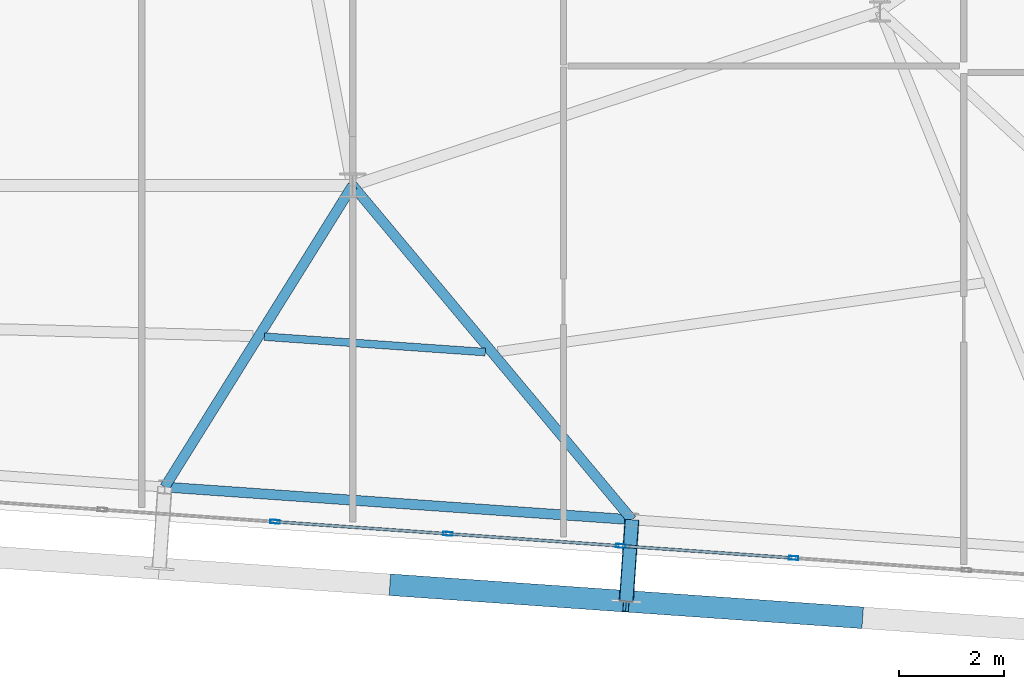
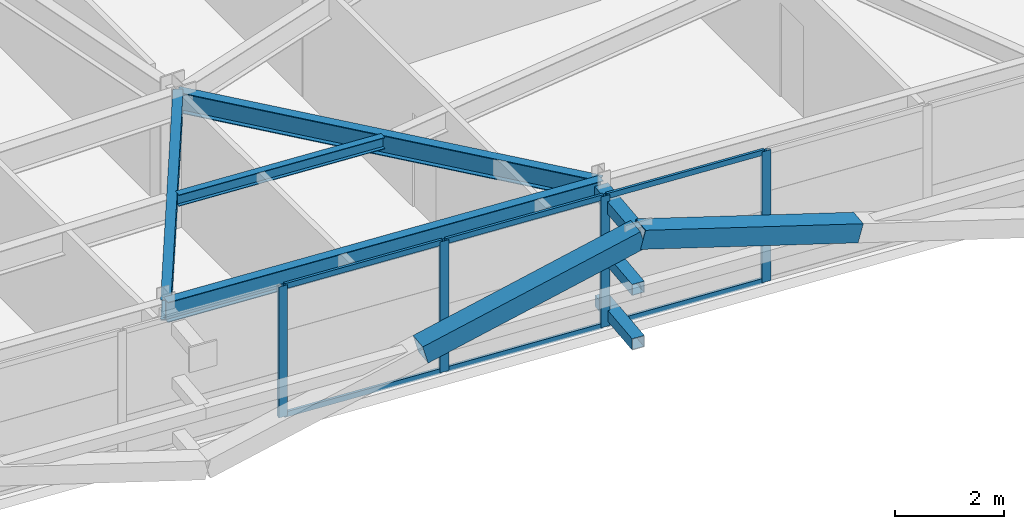
# One storey, part 18 of 47: 15 members, 4 beams, 1 element without a shape of its own.
"""IFC4 building model written with IfcOpenShell, lengths in metres."""

from ifc_helpers import new_model, si_unit, direction, frame, origin, origin_2d, place, context, subcontext, project, spatial, hollow_rectangle, i_section, extrude, source, transform, mapped, material, layer, layer_set, material_profile, profile_set, type_object, element, aggregate, save


model = new_model("IFC4")

# Units and contexts
model_context = context("Model", 3, precision=1e-05, world=origin(), true_north=direction((0.0, 1.0)))
body_context = subcontext(model_context, "Body", "Model", "MODEL_VIEW")
ifc_project = project(units=[si_unit("LENGTHUNIT", "METRE"), si_unit("AREAUNIT", "SQUARE_METRE"), si_unit("VOLUMEUNIT", "CUBIC_METRE"), si_unit("PLANEANGLEUNIT", "RADIAN"), si_unit("MASSUNIT", "GRAM", prefix="KILO")], contexts=[model_context])

# Site, building, storey
site_placement = place(None, origin())
site = spatial("IfcSite", under=ifc_project, at=site_placement, CompositionType="ELEMENT")
building_placement = place(site_placement, origin())
building = spatial("IfcBuilding", under=site, at=building_placement, Name="Taldren Reach Tower", CompositionType="ELEMENT")
storey_placement = place(building_placement, frame((0.0, 0.0, 142.449951171875)))
storey = spatial("IfcBuildingStorey", under=building, at=storey_placement, Name="L43", CompositionType="ELEMENT", Elevation=142.449951171875)

# Members
ifc_material_1 = material(Name="Steel Gr 450 (C450L0)", Category="steel")
ifc_material_profile_1 = material_profile(ifc_material_1, hollow_rectangle(XDim=0.27490234375, YDim=0.27490234375, WallThickness=0.00927734375, at=origin_2d()), Name="275x275x9.3SHS")
ifc_profile_set_1 = profile_set([ifc_material_profile_1], Name="Steel Gr 450 (C450L0)")
member_type_1 = type_object("IfcMemberType", Name="MB-TIE273", PredefinedType="STRUT", material=ifc_profile_set_1)
shared_shape_1 = source(origin(), body_context, "Body", "SweptSolid", [
    extrude(hollow_rectangle(XDim=0.27490234375, YDim=0.27490234375, WallThickness=0.00927734375, at=origin_2d()), origin(), (0.0, 0.0, 1.0), 1.5498046875),
])
member_1_placement = place(storey_placement, frame((47.297119140625, 2.860595703125, 2.650146484375), z_axis=(-0.069780535098, -0.997562367434, 0.0), x_axis=(0.997562367434, -0.069780535098, 0.0)))
element("IfcMember", 1, at=member_1_placement, inside=storey, type_object=member_type_1, Name="Exoskeleton diaphragm tie strut B3-S5 L43", PredefinedType="STRUT", context=body_context, shape_type="MappedRepresentation", body=[
    mapped(shared_shape_1, transform((0.0, 0.0, 0.0), scale=1.0)),
])
ifc_material_2 = material(Name="Steel Gr 350 (C350L0)", Category="steel")
ifc_material_profile_2 = material_profile(ifc_material_2, hollow_rectangle(XDim=0.25, YDim=0.25, WallThickness=0.010009765625, at=origin_2d()), Name="250x250x10.0SHS")
ifc_profile_set_2 = profile_set([ifc_material_profile_2], Name="Steel Gr 350 (C350L0)")
member_type_2 = type_object("IfcMemberType", Name="MB-POST250", PredefinedType="POST", material=ifc_profile_set_2)
shared_shape_2 = source(origin(), body_context, "Body", "SweptSolid", [
    extrude(hollow_rectangle(XDim=0.25, YDim=0.25, WallThickness=0.010009765625, at=origin_2d()), origin(), (0.0, 0.0, 1.0), 1.5498046875),
])
for number, where, z_axis, x_axis, name in (
    (2, (47.297119140625, 2.860595703125, 0.219970703125), (-0.069780535098, -0.997562367434, 0.0), (0.997562367434, -0.069780535098, 0.0), "Exoskeleton base diaphragm tie strut B3-S5 L43"),
    (3, (47.297119140625, 2.860595703125, 1.43505859375), (-0.069780535098, -0.997562367434, 0.0), (0.997562367434, -0.069780535098, 0.0), "Exoskeleton mid-tier diaphragm tie B3-S5 L43"),
):
    element("IfcMember", number, at=place(storey_placement, frame(where, z_axis=z_axis, x_axis=x_axis)), inside=storey, type_object=member_type_2, Name=name, PredefinedType="POST", context=body_context, shape_type="MappedRepresentation", body=[
        mapped(shared_shape_2, transform((0.0, 0.0, 0.0), scale=1.0)),
    ])

# Beams
ifc_material_3 = material(Name="Steel Gr 350 (350PLUS)", Category="steel")
ifc_material_profile_3 = material_profile(ifc_material_3, i_section(OverallWidth=0.18994140625, OverallDepth=0.4541015625, WebThickness=0.008544921875, FlangeThickness=0.0126953125, at=origin_2d()), Name="460UB67.1")
ifc_profile_set_3 = profile_set([ifc_material_profile_3], Name="Steel Gr 350 (350PLUS)")
beam_type_1 = type_object("IfcBeamType", Name="SP-UB460B", PredefinedType="SPANDREL", material=ifc_profile_set_3)
shared_shape_3 = source(origin(), body_context, "Body", "SweptSolid", [
    extrude(i_section(OverallWidth=0.18994140625, OverallDepth=0.4541015625, WebThickness=0.008544921875, FlangeThickness=0.0126953125, at=origin_2d()), origin(), (0.0, 0.0, 1.0), 8.880126953125),
])
beam_1_placement = place(storey_placement, frame((38.438720703125, 3.480224609375, 2.703125), z_axis=(0.997562566276, -0.06977769246, 0.0), x_axis=(0.06977769246, 0.997562566276, 0.0)))
element("IfcBeam", 4, at=beam_1_placement, inside=storey, type_object=beam_type_1, Name="Perimeter spandrel B3 S4-S5 L43", PredefinedType="SPANDREL", context=body_context, shape_type="MappedRepresentation", body=[
    mapped(shared_shape_3, transform((0.0, 0.0, 0.0), scale=1.0)),
])
ifc_material_profile_4 = material_profile(ifc_material_3, i_section(OverallWidth=0.19091796875, OverallDepth=0.4599609375, WebThickness=0.010009765625, FlangeThickness=0.01611328125, at=origin_2d()), Name="460UB82.1")
ifc_profile_set_4 = profile_set([ifc_material_profile_4], Name="Steel Gr 350 (350PLUS)")
beam_type_2 = type_object("IfcBeamType", Name="BM-UB460A", PredefinedType="BEAM", material=ifc_profile_set_4)
shared_shape_4 = source(origin(), body_context, "Body", "SweptSolid", [
    extrude(i_section(OverallWidth=0.19091796875, OverallDepth=0.4599609375, WebThickness=0.010009765625, FlangeThickness=0.01611328125, at=origin_2d()), origin(), (0.0, 0.0, 1.0), 6.73779296875),
])
beam_2_placement = place(storey_placement, frame((42.0, 9.199951171875, 2.699951171875), z_axis=(-0.528552048024, -0.848900896765, 0.0), x_axis=(0.848900896765, -0.528552048024, 0.0)))
element("IfcBeam", 5, at=beam_2_placement, inside=storey, type_object=beam_type_2, Name="Primary floor girder B3-S4 L43", PredefinedType="BEAM", context=body_context, shape_type="MappedRepresentation", body=[
    mapped(shared_shape_4, transform((0.0, 0.0, 0.0), scale=1.0)),
])
shared_shape_5 = source(origin(), body_context, "Body", "SweptSolid", [
    extrude(i_section(OverallWidth=0.19091796875, OverallDepth=0.4599609375, WebThickness=0.010009765625, FlangeThickness=0.01611328125, at=origin_2d()), origin(), (0.0, 0.0, 1.0), 8.26123046875),
])
beam_3_placement = place(storey_placement, frame((42.0, 9.199951171875, 2.699951171875), z_axis=(0.64120703686, -0.767367927322, 0.0), x_axis=(0.767367927322, 0.64120703686, 0.0)))
element("IfcBeam", 6, at=beam_3_placement, inside=storey, type_object=beam_type_2, Name="Primary floor girder B3-S5 L43", PredefinedType="BEAM", context=body_context, shape_type="MappedRepresentation", body=[
    mapped(shared_shape_5, transform((0.0, 0.0, 0.0), scale=1.0)),
])
ifc_material_4 = material(Name="Steel Gr 300 (300PLUS, 300 MPa)", Category="steel")
ifc_material_profile_5 = material_profile(ifc_material_4, i_section(OverallWidth=0.14599609375, OverallDepth=0.256103515625, WebThickness=0.00634765625, FlangeThickness=0.010986328125, at=origin_2d()), Name="250UB37.3")
ifc_profile_set_5 = profile_set([ifc_material_profile_5], Name="Steel Gr 300 (300PLUS, 300 MPa)")
beam_type_3 = type_object("IfcBeamType", Name="JS-UB250", PredefinedType="JOIST", material=ifc_profile_set_5)
shared_shape_6 = source(origin(), body_context, "Body", "SweptSolid", [
    extrude(i_section(OverallWidth=0.14599609375, OverallDepth=0.256103515625, WebThickness=0.00634765625, FlangeThickness=0.010986328125, at=origin_2d()), origin(), (0.0, 0.0, 1.0), 4.199462890625),
])
beam_4_placement = place(storey_placement, frame((40.3271484375, 6.33251953125, 2.802001953125), z_axis=(0.99756354117, -0.069763753681, 0.0), x_axis=(0.069763753681, 0.99756354117, 0.0)))
element("IfcBeam", 7, at=beam_4_placement, inside=storey, type_object=beam_type_3, Name="Secondary floor joist B3 J4 L43", PredefinedType="JOIST", context=body_context, shape_type="MappedRepresentation", body=[
    mapped(shared_shape_6, transform((0.0, 0.0, 0.0), scale=1.0)),
])

# Members
ifc_material_profile_6 = material_profile(ifc_material_1, hollow_rectangle(XDim=0.409912109375, YDim=0.409912109375, WallThickness=0.01611328125, at=origin_2d()), Name="410x410x16.0SHS")
ifc_profile_set_6 = profile_set([ifc_material_profile_6], Name="Steel Gr 450 (C450L0)")
member_type_3 = type_object("IfcMemberType", Name="MB-EXO406", PredefinedType="BRACE", material=ifc_profile_set_6)
shared_shape_7 = source(origin(), body_context, "Body", "SweptSolid", [
    extrude(hollow_rectangle(XDim=0.409912109375, YDim=0.409912109375, WallThickness=0.01611328125, at=origin_2d()), origin(), (0.0, 0.0, 1.0), 4.603271484375),
])
for number, where, z_axis, x_axis, name in (
    (8, (42.759765625, 1.624267578125, 1.43505859375), (0.962182351074, -0.067302910567, 0.263961060594), (0.06977769246, 0.997562566276, 0.0), "Exoskeleton Diagrid Brace B3-S4 L43"),
    (9, (51.6181640625, 1.004638671875, 1.43505859375), (-0.962182351074, 0.067302910567, 0.263961060594), (-0.06977769246, -0.997562566276, 0.0), "Exoskeleton Diagrid Brace B3-S5 L43"),
):
    element("IfcMember", number, at=place(storey_placement, frame(where, z_axis=z_axis, x_axis=x_axis)), inside=storey, type_object=member_type_3, Name=name, PredefinedType="BRACE", context=body_context, shape_type="MappedRepresentation", body=[
        mapped(shared_shape_7, transform((0.0, 0.0, 0.0), scale=1.0)),
    ])

# Curtain wall, members
ifc_material_5 = material(Name="Aluminium and Low-E Glass Unitised System", Category="aluminium")
ifc_layer = layer(ifc_material_5, 0.159912109375)
ifc_layer_set = layer_set([ifc_layer], Name="Aluminium and Low-E Glass Unitised System")
curtain_wall_type = type_object("IfcCurtainWallType", Name="CW-SYS-4", PredefinedType="NOTDEFINED", material=ifc_layer_set)
curtain_wall_placement = place(storey_placement, origin())
curtain_wall = element("IfcCurtainWall", 10, at=curtain_wall_placement, inside=storey, type_object=curtain_wall_type, Name="Unitised curtain wall CW-L43-S", PredefinedType="NOTDEFINED")
ifc_material_6 = material(Name="Anodised Aluminium 6063-T6", Category="aluminium")
ifc_material_profile_7 = material_profile(ifc_material_6, hollow_rectangle(XDim=0.070068359375, YDim=0.179931640625, WallThickness=0.00390625, at=origin_2d()), Name="ALU-180x70x4RHS")
ifc_profile_set_7 = profile_set([ifc_material_profile_7], Name="Anodised Aluminium 6063-T6")
member_type_4 = type_object("IfcMemberType", Name="CW-MUL-180", PredefinedType="MULLION", material=ifc_profile_set_7)
shared_shape_8 = source(origin(), body_context, "Body", "SweptSolid", [
    extrude(hollow_rectangle(XDim=0.070068359375, YDim=0.179931640625, WallThickness=0.00390625, at=origin_2d()), origin(), (0.0, 0.0, 1.0), 2.929931640625),
])
member_2_placement = place(storey_placement, frame((40.529296875, 2.82275390625, 0.0), z_axis=(0.0, 0.0, 1.0), x_axis=(0.06975651593, 0.99756404731, 0.0)))
member_2 = element("IfcMember", 11, at=member_2_placement, type_object=member_type_4, Name="CW-4 mullion 10", PredefinedType="MULLION", context=body_context, shape_type="MappedRepresentation", body=[
    mapped(shared_shape_8, transform((0.0, 0.0, 0.0), scale=1.0)),
])
member_3_placement = place(storey_placement, frame((43.80712890625, 2.593505859375, 0.0), z_axis=(0.0, 0.0, 1.0), x_axis=(0.06975651593, 0.99756404731, 0.0)))
member_3 = element("IfcMember", 12, at=member_3_placement, type_object=member_type_4, Name="CW-4 mullion 11", PredefinedType="MULLION", context=body_context, shape_type="MappedRepresentation", body=[
    mapped(shared_shape_8, transform((0.0, 0.0, 0.0), scale=1.0)),
])
member_4_placement = place(storey_placement, frame((47.084716796875, 2.3642578125, 0.0), z_axis=(0.0, 0.0, 1.0), x_axis=(0.06975651593, 0.99756404731, 0.0)))
member_4 = element("IfcMember", 13, at=member_4_placement, type_object=member_type_4, Name="CW-4 mullion 12", PredefinedType="MULLION", context=body_context, shape_type="MappedRepresentation", body=[
    mapped(shared_shape_8, transform((0.0, 0.0, 0.0), scale=1.0)),
])
member_5_placement = place(storey_placement, frame((50.362548828125, 2.135009765625, 0.0), z_axis=(0.0, 0.0, 1.0), x_axis=(0.06975651593, 0.99756404731, 0.0)))
member_5 = element("IfcMember", 14, at=member_5_placement, type_object=member_type_4, Name="CW-4 mullion 13", PredefinedType="MULLION", context=body_context, shape_type="MappedRepresentation", body=[
    mapped(shared_shape_8, transform((0.0, 0.0, 0.0), scale=1.0)),
])
ifc_material_profile_8 = material_profile(ifc_material_6, hollow_rectangle(XDim=0.054931640625, YDim=0.1201171875, WallThickness=0.0029296875, at=origin_2d()), Name="ALU-120x55x3RHS")
ifc_profile_set_8 = profile_set([ifc_material_profile_8], Name="Anodised Aluminium 6063-T6")
member_type_5 = type_object("IfcMemberType", Name="CW-TRN-135", PredefinedType="USERDEFINED", material=ifc_profile_set_8)
shared_shape_9 = source(origin(), body_context, "Body", "SweptSolid", [
    extrude(hollow_rectangle(XDim=0.054931640625, YDim=0.1201171875, WallThickness=0.0029296875, at=origin_2d()), origin(), (0.0, 0.0, 1.0), 3.2158203125),
])
member_6_placement = place(storey_placement, frame((40.564208984375, 2.8203125, 0.027587890625), z_axis=(0.997563195991, -0.069768689278, 0.0), x_axis=(0.069768689278, 0.997563195991, 0.0)))
member_6 = element("IfcMember", 15, at=member_6_placement, type_object=member_type_5, Name="CW-4 transom 10.1", ObjectType="TRANSOM", PredefinedType="USERDEFINED", context=body_context, shape_type="MappedRepresentation", body=[
    mapped(shared_shape_9, transform((0.0, 0.0, 0.0), scale=1.0)),
])
member_7_placement = place(storey_placement, frame((40.564208984375, 2.8203125, 2.902587890625), z_axis=(0.997563195991, -0.069768689278, 0.0), x_axis=(0.069768689278, 0.997563195991, 0.0)))
member_7 = element("IfcMember", 16, at=member_7_placement, type_object=member_type_5, Name="CW-4 transom 10.2", ObjectType="TRANSOM", PredefinedType="USERDEFINED", context=body_context, shape_type="MappedRepresentation", body=[
    mapped(shared_shape_9, transform((0.0, 0.0, 0.0), scale=1.0)),
])
member_8_placement = place(storey_placement, frame((47.11962890625, 2.36181640625, 0.027587890625), z_axis=(0.997563195991, -0.069768689278, 0.0), x_axis=(0.069768689278, 0.997563195991, 0.0)))
member_8 = element("IfcMember", 17, at=member_8_placement, type_object=member_type_5, Name="CW-4 transom 12.1", ObjectType="TRANSOM", PredefinedType="USERDEFINED", context=body_context, shape_type="MappedRepresentation", body=[
    mapped(shared_shape_9, transform((0.0, 0.0, 0.0), scale=1.0)),
])
member_9_placement = place(storey_placement, frame((47.11962890625, 2.36181640625, 2.902587890625), z_axis=(0.997563195991, -0.069768689278, 0.0), x_axis=(0.069768689278, 0.997563195991, 0.0)))
member_9 = element("IfcMember", 18, at=member_9_placement, type_object=member_type_5, Name="CW-4 transom 12.2", ObjectType="TRANSOM", PredefinedType="USERDEFINED", context=body_context, shape_type="MappedRepresentation", body=[
    mapped(shared_shape_9, transform((0.0, 0.0, 0.0), scale=1.0)),
])
shared_shape_10 = source(origin(), body_context, "Body", "SweptSolid", [
    extrude(hollow_rectangle(XDim=0.054931640625, YDim=0.1201171875, WallThickness=0.0029296875, at=origin_2d()), origin(), (0.0, 0.0, 1.0), 3.215576171875),
])
member_10_placement = place(storey_placement, frame((43.842041015625, 2.591064453125, 0.027587890625), z_axis=(0.997562826405, -0.069773973473, 0.0), x_axis=(0.069773973473, 0.997562826405, 0.0)))
member_10 = element("IfcMember", 19, at=member_10_placement, type_object=member_type_5, Name="CW-4 transom 11.1", ObjectType="TRANSOM", PredefinedType="USERDEFINED", context=body_context, shape_type="MappedRepresentation", body=[
    mapped(shared_shape_10, transform((0.0, 0.0, 0.0), scale=1.0)),
])
member_11_placement = place(storey_placement, frame((43.842041015625, 2.591064453125, 2.902587890625), z_axis=(0.997562826405, -0.069773973473, 0.0), x_axis=(0.069773973473, 0.997562826405, 0.0)))
member_11 = element("IfcMember", 20, at=member_11_placement, type_object=member_type_5, Name="CW-4 transom 11.2", ObjectType="TRANSOM", PredefinedType="USERDEFINED", context=body_context, shape_type="MappedRepresentation", body=[
    mapped(shared_shape_10, transform((0.0, 0.0, 0.0), scale=1.0)),
])
aggregate(curtain_wall, [member_2, member_3, member_4, member_5, member_6, member_7, member_10, member_11, member_8, member_9])

save(model, "model.ifc")
